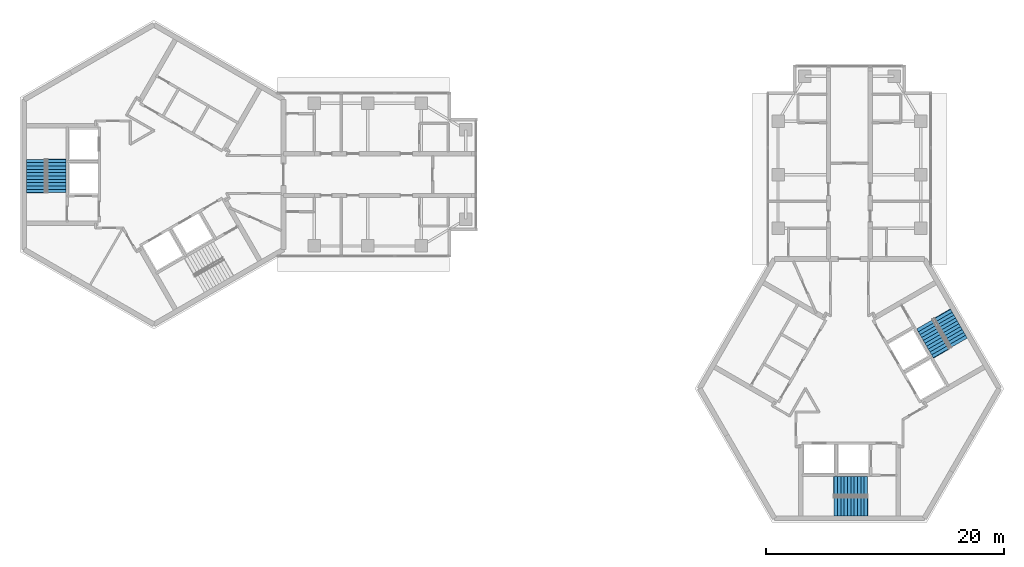
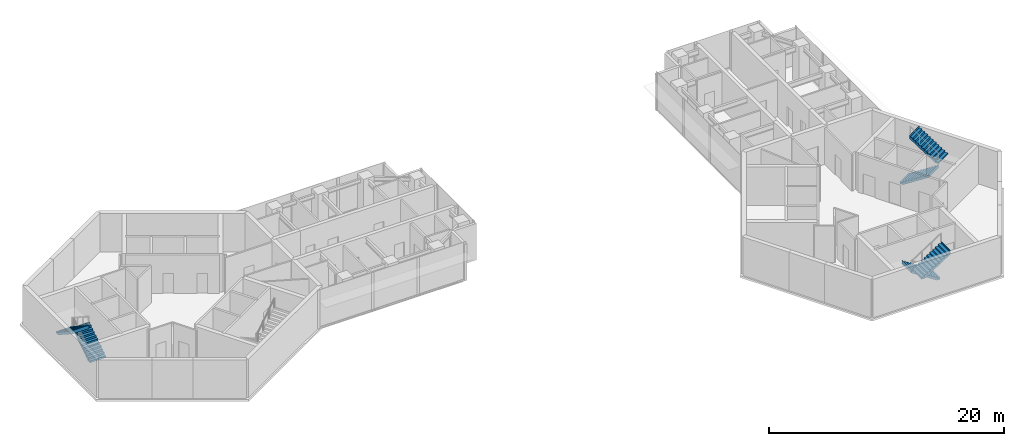
# One storey, part 10 of 11: 6 stair flights, 3 elements without a shape of their own.
"""IFC4 building model written with IfcOpenShell, lengths in metres."""

from ifc_helpers import new_model, si_unit, direction, frame, origin, place, context, subcontext, project, spatial, polyline, outline, extrude, material, type_object, element, aggregate, save


model = new_model("IFC4")

# Units and contexts
model_context = context("Model", 3, precision=1e-05, world=origin(), true_north=direction((0.0, 1.0)))
body_context = subcontext(model_context, "Body", "Model", "MODEL_VIEW")
ifc_project = project(units=[si_unit("LENGTHUNIT", "METRE"), si_unit("AREAUNIT", "SQUARE_METRE"), si_unit("VOLUMEUNIT", "CUBIC_METRE"), si_unit("PLANEANGLEUNIT", "RADIAN"), si_unit("MASSUNIT", "GRAM", prefix="KILO")], contexts=[model_context])

# Site, building, storey
site_placement = place(None, origin())
site = spatial("IfcSite", under=ifc_project, at=site_placement, CompositionType="ELEMENT")
building_placement = place(site_placement, origin())
building = spatial("IfcBuilding", under=site, at=building_placement, Name="Upepo Twin Towers", CompositionType="ELEMENT")
storey_placement = place(building_placement, frame((0.0, 0.0, 251.5)))
storey = spatial("IfcBuildingStorey", under=building, at=storey_placement, Name="L61", CompositionType="ELEMENT", Elevation=251.5)

# Stair, stair flights
ifc_material_1 = material(Name="Concrete C40/50", Category="concrete")
stair_type = type_object("IfcStairType", Name="Core stair, two flights", PredefinedType="HALF_TURN_STAIR", material=ifc_material_1)
stair_1_placement = place(storey_placement, origin())
stair_1 = element("IfcStair", 1, at=stair_1_placement, inside=storey, type_object=stair_type, Name="T1 stair S1 L61", PredefinedType="HALF_TURN_STAIR")
ifc_material_2 = material(Name="Concrete C40/50", Category="concrete")
stair_flight_type = type_object("IfcStairFlightType", Name="Stair flight 1600 RC", PredefinedType="STRAIGHT", material=ifc_material_2)
stair_flight_1_placement = place(storey_placement, frame((-8.199951171875, -1.52001953125, 0.0), z_axis=(0.0, 0.0, 1.0), x_axis=(0.0, 1.0, 0.0)))
stair_flight_1 = element("IfcStairFlight", 2, at=stair_flight_1_placement, type_object=stair_flight_type, Name="Stair S1 flight 1", NumberOfRisers=11, NumberOfTreads=10, PredefinedType="STRAIGHT", RiserHeight=0.181818182, TreadLength=0.28, context=body_context, shape_type="SweptSolid", body=[
    extrude(outline(polyline([(0.0, 0.0), (0.0, 0.181884765625), (0.280029296875, 0.181884765625), (0.280029296875, 0.363525390625), (0.56005859375, 0.363525390625), (0.56005859375, 0.54541015625), (0.840087890625, 0.54541015625), (0.840087890625, 0.727294921875), (1.1201171875, 0.727294921875), (1.1201171875, 0.9091796875), (1.39990234375, 0.9091796875), (1.39990234375, 1.0908203125), (1.679931640625, 1.0908203125), (1.679931640625, 1.272705078125), (1.9599609375, 1.272705078125), (1.9599609375, 1.45458984375), (2.239990234375, 1.45458984375), (2.239990234375, 1.636474609375), (2.52001953125, 1.636474609375), (2.52001953125, 1.818115234375), (2.800048828125, 1.818115234375), (2.800048828125, 2.0), (2.85009765625, 2.0), (2.85009765625, 1.639404296875), (0.3251953125, 0.0), (0.0, 0.0)])), frame((0.0, 0.800048828125, 0.0), z_axis=(0.0, -1.0, 0.0), x_axis=(1.0, 0.0, 0.0)), (0.0, 0.0, 1.0), 1.60009765625),
])
stair_flight_2_placement = place(storey_placement, frame((-9.908447265625, 1.280029296875, 2.0), z_axis=(0.0, 0.0, 1.0), x_axis=(0.0, -1.0, 0.0)))
stair_flight_2 = element("IfcStairFlight", 3, at=stair_flight_2_placement, type_object=stair_flight_type, Name="Stair S1 flight 2", NumberOfRisers=11, NumberOfTreads=10, PredefinedType="STRAIGHT", RiserHeight=0.181818182, TreadLength=0.28, context=body_context, shape_type="SweptSolid", body=[
    extrude(outline(polyline([(0.0, 0.0), (0.0, 0.181884765625), (0.280029296875, 0.181884765625), (0.280029296875, 0.363525390625), (0.56005859375, 0.363525390625), (0.56005859375, 0.54541015625), (0.840087890625, 0.54541015625), (0.840087890625, 0.727294921875), (1.1201171875, 0.727294921875), (1.1201171875, 0.9091796875), (1.39990234375, 0.9091796875), (1.39990234375, 1.0908203125), (1.679931640625, 1.0908203125), (1.679931640625, 1.272705078125), (1.9599609375, 1.272705078125), (1.9599609375, 1.45458984375), (2.239990234375, 1.45458984375), (2.239990234375, 1.636474609375), (2.52001953125, 1.636474609375), (2.52001953125, 1.818115234375), (2.800048828125, 1.818115234375), (2.800048828125, 2.0), (2.85009765625, 2.0), (2.85009765625, 1.639404296875), (0.3251953125, 0.0), (0.0, 0.0)])), frame((0.0, 0.800048828125, 0.0), z_axis=(0.0, -1.0, 0.0), x_axis=(1.0, 0.0, 0.0)), (0.0, 0.0, 1.0), 1.60009765625),
])
aggregate(stair_1, [stair_flight_1, stair_flight_2])

stair_2_placement = place(storey_placement, origin())
stair_2 = element("IfcStair", 4, at=stair_2_placement, inside=storey, type_object=stair_type, Name="T2 stair S1 L61", PredefinedType="HALF_TURN_STAIR")
stair_flight_3_placement = place(storey_placement, frame((60.02001953125, -26.199951171875, 0.0), z_axis=(0.0, 0.0, 1.0), x_axis=(-1.0, 0.0, 0.0)))
stair_flight_3 = element("IfcStairFlight", 5, at=stair_flight_3_placement, type_object=stair_flight_type, Name="Stair S1 flight 1", NumberOfRisers=11, NumberOfTreads=10, PredefinedType="STRAIGHT", RiserHeight=0.181818182, TreadLength=0.28, context=body_context, shape_type="SweptSolid", body=[
    extrude(outline(polyline([(0.0, 0.0), (0.0, 0.181884765625), (0.280029296875, 0.181884765625), (0.280029296875, 0.363525390625), (0.56005859375, 0.363525390625), (0.56005859375, 0.54541015625), (0.840087890625, 0.54541015625), (0.840087890625, 0.727294921875), (1.1201171875, 0.727294921875), (1.1201171875, 0.9091796875), (1.39990234375, 0.9091796875), (1.39990234375, 1.0908203125), (1.679931640625, 1.0908203125), (1.679931640625, 1.272705078125), (1.9599609375, 1.272705078125), (1.9599609375, 1.45458984375), (2.239990234375, 1.45458984375), (2.239990234375, 1.636474609375), (2.52001953125, 1.636474609375), (2.52001953125, 1.818115234375), (2.800048828125, 1.818115234375), (2.800048828125, 2.0), (2.85009765625, 2.0), (2.85009765625, 1.639404296875), (0.3251953125, 0.0), (0.0, 0.0)])), frame((0.0, 0.800048828125, 0.0), z_axis=(0.0, -1.0, 0.0), x_axis=(1.0, 0.0, 0.0)), (0.0, 0.0, 1.0), 1.60009765625),
])
stair_flight_4_placement = place(storey_placement, frame((57.219970703125, -27.908447265625, 2.0), z_axis=(0.0, 0.0, 1.0), x_axis=(1.0, 0.0, 0.0)))
stair_flight_4 = element("IfcStairFlight", 6, at=stair_flight_4_placement, type_object=stair_flight_type, Name="Stair S1 flight 2", NumberOfRisers=11, NumberOfTreads=10, PredefinedType="STRAIGHT", RiserHeight=0.181818182, TreadLength=0.28, context=body_context, shape_type="SweptSolid", body=[
    extrude(outline(polyline([(0.0, 0.0), (0.0, 0.181884765625), (0.280029296875, 0.181884765625), (0.280029296875, 0.363525390625), (0.56005859375, 0.363525390625), (0.56005859375, 0.54541015625), (0.840087890625, 0.54541015625), (0.840087890625, 0.727294921875), (1.1201171875, 0.727294921875), (1.1201171875, 0.9091796875), (1.39990234375, 0.9091796875), (1.39990234375, 1.0908203125), (1.679931640625, 1.0908203125), (1.679931640625, 1.272705078125), (1.9599609375, 1.272705078125), (1.9599609375, 1.45458984375), (2.239990234375, 1.45458984375), (2.239990234375, 1.636474609375), (2.52001953125, 1.636474609375), (2.52001953125, 1.818115234375), (2.800048828125, 1.818115234375), (2.800048828125, 2.0), (2.85009765625, 2.0), (2.85009765625, 1.639404296875), (0.3251953125, 0.0), (0.0, 0.0)])), frame((0.0, 0.800048828125, 0.0), z_axis=(0.0, -1.0, 0.0), x_axis=(1.0, 0.0, 0.0)), (0.0, 0.0, 1.0), 1.60009765625),
])
aggregate(stair_2, [stair_flight_3, stair_flight_4])

stair_3_placement = place(storey_placement, origin())
stair_3 = element("IfcStair", 7, at=stair_3_placement, inside=storey, type_object=stair_type, Name="T2 stair S2 L61", PredefinedType="HALF_TURN_STAIR")
stair_flight_5_placement = place(storey_placement, frame((64.84130859375, -12.583740234375, 0.0), z_axis=(0.0, 0.0, 1.0), x_axis=(0.5, -0.866025403784, 0.0)))
stair_flight_5 = element("IfcStairFlight", 8, at=stair_flight_5_placement, type_object=stair_flight_type, Name="Stair S2 flight 1", NumberOfRisers=11, NumberOfTreads=10, PredefinedType="STRAIGHT", RiserHeight=0.181818182, TreadLength=0.28, context=body_context, shape_type="SweptSolid", body=[
    extrude(outline(polyline([(0.0, 0.0), (0.0, 0.181884765625), (0.280029296875, 0.181884765625), (0.280029296875, 0.363525390625), (0.56005859375, 0.363525390625), (0.56005859375, 0.54541015625), (0.840087890625, 0.54541015625), (0.840087890625, 0.727294921875), (1.1201171875, 0.727294921875), (1.1201171875, 0.9091796875), (1.39990234375, 0.9091796875), (1.39990234375, 1.0908203125), (1.679931640625, 1.0908203125), (1.679931640625, 1.272705078125), (1.9599609375, 1.272705078125), (1.9599609375, 1.45458984375), (2.239990234375, 1.45458984375), (2.239990234375, 1.636474609375), (2.52001953125, 1.636474609375), (2.52001953125, 1.818115234375), (2.800048828125, 1.818115234375), (2.800048828125, 2.0), (2.85009765625, 2.0), (2.85009765625, 1.639404296875), (0.3251953125, 0.0), (0.0, 0.0)])), frame((0.0, 0.800048828125, 0.0), z_axis=(0.0, -1.0, 0.0), x_axis=(1.0, 0.0, 0.0)), (0.0, 0.0, 1.0), 1.60009765625),
])
stair_flight_6_placement = place(storey_placement, frame((67.720947265625, -14.154296875, 2.0), z_axis=(0.0, 0.0, 1.0), x_axis=(-0.5, 0.866025403784, 0.0)))
stair_flight_6 = element("IfcStairFlight", 9, at=stair_flight_6_placement, type_object=stair_flight_type, Name="Stair S2 flight 2", NumberOfRisers=11, NumberOfTreads=10, PredefinedType="STRAIGHT", RiserHeight=0.181818182, TreadLength=0.28, context=body_context, shape_type="SweptSolid", body=[
    extrude(outline(polyline([(0.0, 0.0), (0.0, 0.181884765625), (0.280029296875, 0.181884765625), (0.280029296875, 0.363525390625), (0.56005859375, 0.363525390625), (0.56005859375, 0.54541015625), (0.840087890625, 0.54541015625), (0.840087890625, 0.727294921875), (1.1201171875, 0.727294921875), (1.1201171875, 0.9091796875), (1.39990234375, 0.9091796875), (1.39990234375, 1.0908203125), (1.679931640625, 1.0908203125), (1.679931640625, 1.272705078125), (1.9599609375, 1.272705078125), (1.9599609375, 1.45458984375), (2.239990234375, 1.45458984375), (2.239990234375, 1.636474609375), (2.52001953125, 1.636474609375), (2.52001953125, 1.818115234375), (2.800048828125, 1.818115234375), (2.800048828125, 2.0), (2.85009765625, 2.0), (2.85009765625, 1.639404296875), (0.3251953125, 0.0), (0.0, 0.0)])), frame((0.0, 0.800048828125, 0.0), z_axis=(0.0, -1.0, 0.0), x_axis=(1.0, 0.0, 0.0)), (0.0, 0.0, 1.0), 1.60009765625),
])
aggregate(stair_3, [stair_flight_5, stair_flight_6])

save(model, "model.ifc")
